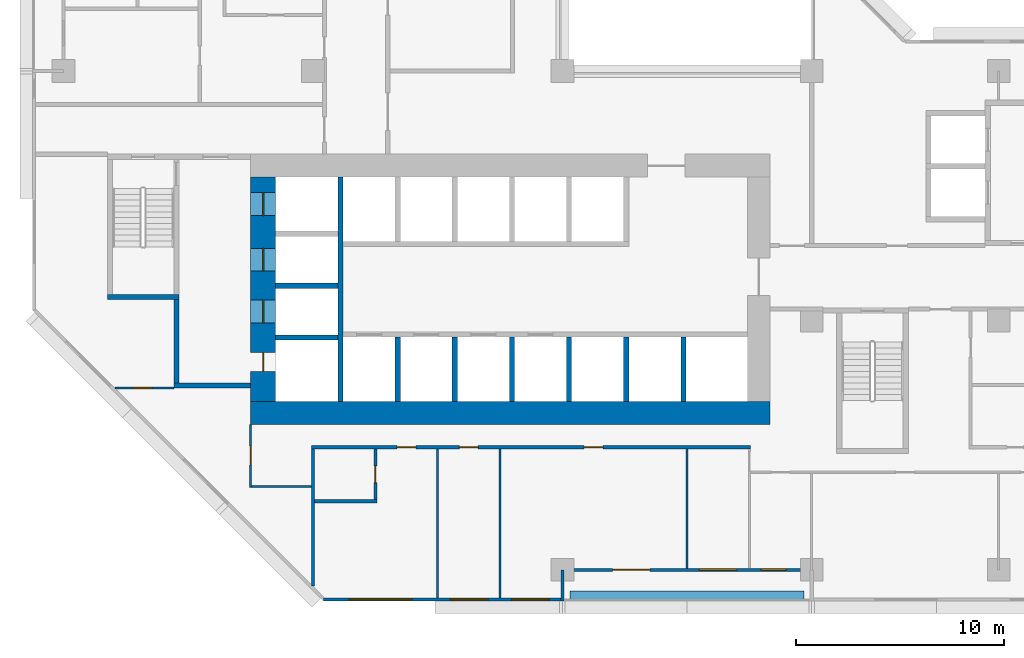
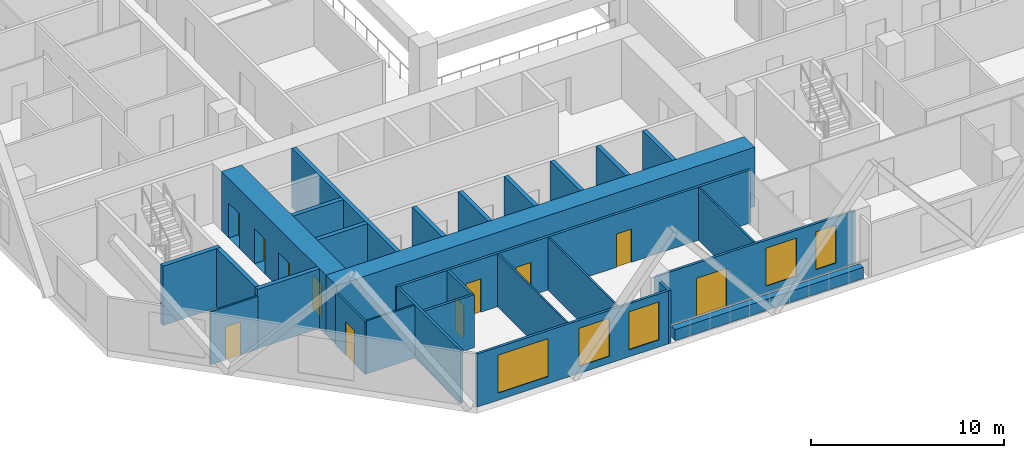
# One storey, part 4 of 15: 28 walls, 11 doors, 5 windows, 16 openings.
"""IFC4 building model written with IfcOpenShell, lengths in metres."""

from ifc_helpers import new_model, si_unit, direction, frame, frame_2d, origin, place, context, subcontext, project, spatial, rectangle, extrude, material, layer, layer_set, type_object, element, fill, save


model = new_model("IFC4")

# Units and contexts
model_context = context("Model", 3, precision=1e-05, world=origin(), true_north=direction((0.0, 1.0)))
body_context = subcontext(model_context, "Body", "Model", "MODEL_VIEW")
ifc_project = project(units=[si_unit("LENGTHUNIT", "METRE"), si_unit("AREAUNIT", "SQUARE_METRE"), si_unit("VOLUMEUNIT", "CUBIC_METRE"), si_unit("PLANEANGLEUNIT", "RADIAN"), si_unit("MASSUNIT", "GRAM", prefix="KILO")], contexts=[model_context])

# Site, building, storey
site_placement = place(None, origin())
site = spatial("IfcSite", under=ifc_project, at=site_placement, CompositionType="ELEMENT")
building_placement = place(site_placement, origin())
building = spatial("IfcBuilding", under=site, at=building_placement, Name="Chenar Terraces", CompositionType="ELEMENT")
storey_placement = place(building_placement, frame((0.0, 0.0, 48.89990234375)))
storey = spatial("IfcBuildingStorey", under=building, at=storey_placement, Name="L09", CompositionType="ELEMENT", Elevation=48.89990234375)

# Wall
ifc_material_1 = material(Name="Concrete C70/85", Category="concrete")
ifc_layer_1 = layer(ifc_material_1, 1.10009765625)
ifc_layer_set_1 = layer_set([ifc_layer_1], Name="Concrete C70/85")
wall_type_1 = type_object("IfcWallType", Name="Core wall 1100 Concrete C70/85", PredefinedType="SHEAR", material=ifc_layer_set_1)
wall_1_placement = place(storey_placement, frame((9.0, 7.550048828125, 0.0), z_axis=(0.0, 0.0, 1.0), x_axis=(1.0, 0.0, 0.0)))
element("IfcWall", 1, at=wall_1_placement, inside=storey, type_object=wall_type_1, Name="Core wall S L09", PredefinedType="SHEAR", context=body_context, shape_type="SweptSolid", body=[
    extrude(rectangle(XDim=25.0, YDim=1.10009765625, at=frame_2d((12.5, 0.0))), origin(), (0.0, 0.0, 1.0), 3.75),
])

# Wall, openings, doors
ifc_material_2 = material(Name="Concrete C70/85", Category="concrete")
ifc_layer_2 = layer(ifc_material_2, 1.199951171875)
ifc_layer_set_2 = layer_set([ifc_layer_2], Name="Concrete C70/85")
wall_type_2 = type_object("IfcWallType", Name="Core wall 1200 Concrete C70/85", PredefinedType="SHEAR", material=ifc_layer_set_2)
wall_2_placement = place(storey_placement, frame((9.60009765625, 8.10009765625, 0.0), z_axis=(0.0, 0.0, 1.0), x_axis=(0.0, 1.0, 0.0)))
wall_2 = element("IfcWall", 2, at=wall_2_placement, inside=storey, type_object=wall_type_2, Name="Core wall W L09", PredefinedType="SHEAR", context=body_context, shape_type="SweptSolid", body=[
    extrude(rectangle(XDim=10.7998046875, YDim=1.199951171875, at=frame_2d((5.39990234375, 0.0))), origin(), (0.0, 0.0, 1.0), 3.75),
])
opening_1_placement = place(wall_2_placement, frame((3.77490234375, 0.0, 0.0)))
opening_1 = element("IfcOpeningElement", 3, at=opening_1_placement, cuts=wall_2, Name="Opening DL09-LD5", PredefinedType="OPENING", context=body_context, shape_type="SweptSolid", body=[
    extrude(rectangle(XDim=1.10009765625, YDim=2.199951171875, at=frame_2d((0.550048828125, 1.10009765625))), frame((0.0, 0.60986328125, 0.0), z_axis=(0.0, -1.0, 0.0), x_axis=(1.0, 0.0, 0.0)), (0.0, 0.0, 1.0), 1.219970703125),
])
opening_2_placement = place(wall_2_placement, frame((6.27490234375, 0.0, 0.0)))
opening_2 = element("IfcOpeningElement", 4, at=opening_2_placement, cuts=wall_2, Name="Opening DL09-LD6", PredefinedType="OPENING", context=body_context, shape_type="SweptSolid", body=[
    extrude(rectangle(XDim=1.10009765625, YDim=2.199951171875, at=frame_2d((0.550048828125, 1.10009765625))), frame((0.0, 0.60986328125, 0.0), z_axis=(0.0, -1.0, 0.0), x_axis=(1.0, 0.0, 0.0)), (0.0, 0.0, 1.0), 1.219970703125),
])
opening_3_placement = place(wall_2_placement, frame((8.949951171875, 0.0, 0.0)))
opening_3 = element("IfcOpeningElement", 5, at=opening_3_placement, cuts=wall_2, Name="Opening DL09-LD7", PredefinedType="OPENING", context=body_context, shape_type="SweptSolid", body=[
    extrude(rectangle(XDim=1.10009765625, YDim=2.199951171875, at=frame_2d((0.550048828125, 1.10009765625))), frame((0.0, 0.60986328125, 0.0), z_axis=(0.0, -1.0, 0.0), x_axis=(1.0, 0.0, 0.0)), (0.0, 0.0, 1.0), 1.219970703125),
])
opening_4_placement = place(wall_2_placement, frame((1.449951171875, 0.0, 0.0)))
opening_4 = element("IfcOpeningElement", 6, at=opening_4_placement, cuts=wall_2, Name="Opening DL09-C4", PredefinedType="OPENING", context=body_context, shape_type="SweptSolid", body=[
    extrude(rectangle(XDim=0.89990234375, YDim=2.10009765625, at=frame_2d((0.449951171875, 1.050048828125))), frame((0.0, 0.60986328125, 0.0), z_axis=(0.0, -1.0, 0.0), x_axis=(1.0, 0.0, 0.0)), (0.0, 0.0, 1.0), 1.219970703125),
])
ifc_material_3 = material(Name="Stainless steel", Category="steel")
door_type_1 = type_object("IfcDoorType", Name="Lift landing door 1100 x 2200 sliding", OperationType="DOUBLE_DOOR_SLIDING", PredefinedType="DOOR", material=ifc_material_3)
door_1_placement = place(opening_1_placement, origin())
door_1 = element("IfcDoor", 7, at=door_1_placement, inside=storey, type_object=door_type_1, Name="Landing door S1", OperationType="DOUBLE_DOOR_SLIDING", OverallHeight=2.199951171875, OverallWidth=1.10009765625, PredefinedType="DOOR", context=body_context, shape_type="SweptSolid", body=[
    extrude(rectangle(XDim=1.10009765625, YDim=2.199951171875, at=frame_2d((0.550048828125, 1.10009765625))), frame((0.0, 0.02490234375, 0.0), z_axis=(0.0, -1.0, 0.0), x_axis=(1.0, 0.0, 0.0)), (0.0, 0.0, 1.0), 0.050048828125),
])
fill(opening_1, door_1)
door_2_placement = place(opening_2_placement, origin())
door_2 = element("IfcDoor", 8, at=door_2_placement, inside=storey, type_object=door_type_1, Name="Landing door F1", OperationType="DOUBLE_DOOR_SLIDING", OverallHeight=2.199951171875, OverallWidth=1.10009765625, PredefinedType="DOOR", context=body_context, shape_type="SweptSolid", body=[
    extrude(rectangle(XDim=1.10009765625, YDim=2.199951171875, at=frame_2d((0.550048828125, 1.10009765625))), frame((0.0, 0.02490234375, 0.0), z_axis=(0.0, -1.0, 0.0), x_axis=(1.0, 0.0, 0.0)), (0.0, 0.0, 1.0), 0.050048828125),
])
fill(opening_2, door_2)
door_3_placement = place(opening_3_placement, origin())
door_3 = element("IfcDoor", 9, at=door_3_placement, inside=storey, type_object=door_type_1, Name="Landing door F2", OperationType="DOUBLE_DOOR_SLIDING", OverallHeight=2.199951171875, OverallWidth=1.10009765625, PredefinedType="DOOR", context=body_context, shape_type="SweptSolid", body=[
    extrude(rectangle(XDim=1.10009765625, YDim=2.199951171875, at=frame_2d((0.550048828125, 1.10009765625))), frame((0.0, 0.02490234375, 0.0), z_axis=(0.0, -1.0, 0.0), x_axis=(1.0, 0.0, 0.0)), (0.0, 0.0, 1.0), 0.050048828125),
])
fill(opening_3, door_3)
ifc_material_4 = material(Name="Steel-framed fire-resisting door leaf", Category="steel")
door_type_2 = type_object("IfcDoorType", Name="Riser fire door FD60 900 x 2100", OperationType="SINGLE_SWING_LEFT", PredefinedType="DOOR", material=ifc_material_4)
door_4_placement = place(opening_4_placement, frame((0.89990234375, 0.0, 0.0), z_axis=(0.0, 0.0, 1.0), x_axis=(-1.0, 0.0, 0.0)))
door_4 = element("IfcDoor", 10, at=door_4_placement, inside=storey, type_object=door_type_2, Name="Riser door DL09-C4", OperationType="SINGLE_SWING_RIGHT", OverallHeight=2.10009765625, OverallWidth=0.89990234375, PredefinedType="DOOR", context=body_context, shape_type="SweptSolid", body=[
    extrude(rectangle(XDim=0.89990234375, YDim=2.10009765625, at=frame_2d((0.449951171875, 1.050048828125))), frame((0.0, 0.02490234375, 0.0), z_axis=(0.0, -1.0, 0.0), x_axis=(1.0, 0.0, 0.0)), (0.0, 0.0, 1.0), 0.050048828125),
])
fill(opening_4, door_4)

# Walls
ifc_material_5 = material(Name="Concrete C70/85", Category="concrete")
ifc_layer_3 = layer(ifc_material_5, 0.25)
ifc_layer_set_3 = layer_set([ifc_layer_3], Name="Concrete C70/85")
wall_type_3 = type_object("IfcWallType", Name="Core wall 250 Concrete C70/85", PredefinedType="SHEAR", material=ifc_layer_set_3)
wall_3_placement = place(storey_placement, frame((13.324951171875, 8.10009765625, 0.0), z_axis=(0.0, 0.0, 1.0), x_axis=(0.0, 1.0, 0.0)))
element("IfcWall", 11, at=wall_3_placement, inside=storey, type_object=wall_type_3, Name="Core wall WI L09", PredefinedType="SHEAR", context=body_context, shape_type="SweptSolid", body=[
    extrude(rectangle(XDim=10.7998046875, YDim=0.25, at=frame_2d((5.39990234375, 0.0))), origin(), (0.0, 0.0, 1.0), 3.75),
])
for number, where, z_axis, x_axis, name in (
    (12, (10.199951171875, 11.175048828125, 0.0), (0.0, 0.0, 1.0), (1.0, 0.0, 0.0), "Core wall HW0 L09"),
    (13, (10.199951171875, 13.675048828125, 0.0), (0.0, 0.0, 1.0), (1.0, 0.0, 0.0), "Core wall HW1 L09"),
):
    element("IfcWall", number, at=place(storey_placement, frame(where, z_axis=z_axis, x_axis=x_axis)), inside=storey, type_object=wall_type_3, Name=name, PredefinedType="SHEAR", context=body_context, shape_type="SweptSolid", body=[
        extrude(rectangle(XDim=3.0, YDim=0.25, at=frame_2d((1.5, 0.0))), origin(), (0.0, 0.0, 1.0), 3.75),
    ])
for number, where, z_axis, x_axis, name in (
    (14, (16.074951171875, 8.10009765625, 0.0), (0.0, 0.0, 1.0), (0.0, 1.0, 0.0), "Core wall SS0 L09"),
    (15, (18.824951171875, 8.10009765625, 0.0), (0.0, 0.0, 1.0), (0.0, 1.0, 0.0), "Core wall SS1 L09"),
    (16, (21.574951171875, 8.10009765625, 0.0), (0.0, 0.0, 1.0), (0.0, 1.0, 0.0), "Core wall SS2 L09"),
    (17, (24.324951171875, 8.10009765625, 0.0), (0.0, 0.0, 1.0), (0.0, 1.0, 0.0), "Core wall SS3 L09"),
    (18, (27.074951171875, 8.10009765625, 0.0), (0.0, 0.0, 1.0), (0.0, 1.0, 0.0), "Core wall SS4 L09"),
    (19, (29.824951171875, 8.10009765625, 0.0), (0.0, 0.0, 1.0), (0.0, 1.0, 0.0), "Core wall SS5 L09"),
):
    element("IfcWall", number, at=place(storey_placement, frame(where, z_axis=z_axis, x_axis=x_axis)), inside=storey, type_object=wall_type_3, Name=name, PredefinedType="SHEAR", context=body_context, shape_type="SweptSolid", body=[
        extrude(rectangle(XDim=3.099853515625, YDim=0.25, at=frame_2d((1.5498046875, 0.0))), origin(), (0.0, 0.0, 1.0), 3.75),
    ])
wall_4_placement = place(storey_placement, frame((2.10009765625, 13.125, 0.0), z_axis=(0.0, 0.0, 1.0), x_axis=(1.0, 0.0, 0.0)))
element("IfcWall", 20, at=wall_4_placement, inside=storey, type_object=wall_type_3, Name="Core wall ST1_S L09", PredefinedType="SHEAR", context=body_context, shape_type="SweptSolid", body=[
    extrude(rectangle(XDim=3.449951171875, YDim=0.25, at=frame_2d((1.72509765625, 0.0))), origin(), (0.0, 0.0, 1.0), 3.75),
])
wall_5_placement = place(storey_placement, frame((5.300048828125, 8.875, 0.0), z_axis=(0.0, 0.0, 1.0), x_axis=(1.0, 0.0, 0.0)))
element("IfcWall", 21, at=wall_5_placement, inside=storey, type_object=wall_type_3, Name="Core wall FFL_S L09", PredefinedType="SHEAR", context=body_context, shape_type="SweptSolid", body=[
    extrude(rectangle(XDim=3.699951171875, YDim=0.25, at=frame_2d((1.85009765625, 0.0))), origin(), (0.0, 0.0, 1.0), 3.75),
])
wall_6_placement = place(storey_placement, frame((5.425048828125, 9.0, 0.0), z_axis=(0.0, 0.0, 1.0), x_axis=(0.0, 1.0, 0.0)))
element("IfcWall", 22, at=wall_6_placement, inside=storey, type_object=wall_type_3, Name="Core wall FFL_W L09", PredefinedType="SHEAR", context=body_context, shape_type="SweptSolid", body=[
    extrude(rectangle(XDim=4.0, YDim=0.25, at=frame_2d((2.0, 0.0))), origin(), (0.0, 0.0, 1.0), 3.75),
])

# Wall, openings, windows
ifc_material_6 = material(Name="Aluminium framed glazing", Category="aluminium")
ifc_layer_4 = layer(ifc_material_6, 0.14990234375)
ifc_layer_set_4 = layer_set([ifc_layer_4], Name="Aluminium framed glazing")
wall_type_4 = type_object("IfcWallType", Name="Glazed flush facade wall 150", PredefinedType="SOLIDWALL", material=ifc_layer_set_4)
wall_7_placement = place(storey_placement, frame((12.5, -1.425048828125, 0.0), z_axis=(0.0, 0.0, 1.0), x_axis=(1.0, 0.0, 0.0)))
wall_7 = element("IfcWall", 23, at=wall_7_placement, inside=storey, type_object=wall_type_4, Name="Glazed flush facade wall", PredefinedType="SOLIDWALL", context=body_context, shape_type="SweptSolid", body=[
    extrude(rectangle(XDim=11.425048828125, YDim=0.14990234375, at=frame_2d((5.71240234375, 0.0))), origin(), (0.0, 0.0, 1.0), 3.35009765625),
])
opening_5_placement = place(wall_7_placement, frame((1.25, 0.0, 0.449951171875)))
opening_5 = element("IfcOpeningElement", 24, at=opening_5_placement, cuts=wall_7, Name="Opening W300x240", PredefinedType="OPENING", context=body_context, shape_type="SweptSolid", body=[
    extrude(rectangle(XDim=3.0, YDim=2.39990234375, at=frame_2d((1.5, 1.199951171875))), frame((0.0, 0.0849609375, 0.0), z_axis=(0.0, -1.0, 0.0), x_axis=(1.0, 0.0, 0.0)), (0.0, 0.0, 1.0), 0.169921875),
])
opening_6_placement = place(wall_7_placement, frame((6.10009765625, 0.0, 0.449951171875)))
opening_6 = element("IfcOpeningElement", 25, at=opening_6_placement, cuts=wall_7, Name="Opening W180x240", PredefinedType="OPENING", context=body_context, shape_type="SweptSolid", body=[
    extrude(rectangle(XDim=1.800048828125, YDim=2.39990234375, at=frame_2d((0.89990234375, 1.199951171875))), frame((0.0, 0.0849609375, 0.0), z_axis=(0.0, -1.0, 0.0), x_axis=(1.0, 0.0, 0.0)), (0.0, 0.0, 1.0), 0.169921875),
])
opening_7_placement = place(wall_7_placement, frame((9.0625, 0.0, 0.449951171875)))
opening_7 = element("IfcOpeningElement", 26, at=opening_7_placement, cuts=wall_7, Name="Opening W180x240", PredefinedType="OPENING", context=body_context, shape_type="SweptSolid", body=[
    extrude(rectangle(XDim=1.800048828125, YDim=2.39990234375, at=frame_2d((0.89990234375, 1.199951171875))), frame((0.0, 0.0849609375, 0.0), z_axis=(0.0, -1.0, 0.0), x_axis=(1.0, 0.0, 0.0)), (0.0, 0.0, 1.0), 0.169921875),
])
ifc_material_7 = material(Name="Low emissivity double glazing, aluminium frame", Category="aluminium")
window_type_1 = type_object("IfcWindowType", Name="Fixed light 1800 x 2400", PartitioningType="SINGLE_PANEL", PredefinedType="WINDOW", material=ifc_material_7)
window_1_placement = place(opening_6_placement, origin())
window_1 = element("IfcWindow", 27, at=window_1_placement, inside=storey, type_object=window_type_1, Name="Window", OverallHeight=2.39990234375, OverallWidth=1.800048828125, PartitioningType="SINGLE_PANEL", PredefinedType="WINDOW", context=body_context, shape_type="SweptSolid", body=[
    extrude(rectangle(XDim=1.800048828125, YDim=2.39990234375, at=frame_2d((0.89990234375, 1.199951171875))), frame((0.0, 0.030029296875, 0.0), z_axis=(0.0, -1.0, 0.0), x_axis=(1.0, 0.0, 0.0)), (0.0, 0.0, 1.0), 0.06005859375),
])
fill(opening_6, window_1)
window_2_placement = place(opening_7_placement, origin())
window_2 = element("IfcWindow", 28, at=window_2_placement, inside=storey, type_object=window_type_1, Name="Window", OverallHeight=2.39990234375, OverallWidth=1.800048828125, PartitioningType="SINGLE_PANEL", PredefinedType="WINDOW", context=body_context, shape_type="SweptSolid", body=[
    extrude(rectangle(XDim=1.800048828125, YDim=2.39990234375, at=frame_2d((0.89990234375, 1.199951171875))), frame((0.0, 0.030029296875, 0.0), z_axis=(0.0, -1.0, 0.0), x_axis=(1.0, 0.0, 0.0)), (0.0, 0.0, 1.0), 0.06005859375),
])
fill(opening_7, window_2)
ifc_material_8 = material(Name="Low emissivity double glazing, aluminium frame", Category="aluminium")
window_type_2 = type_object("IfcWindowType", Name="Fixed light 3000 x 2400", PartitioningType="SINGLE_PANEL", PredefinedType="WINDOW", material=ifc_material_8)
window_3_placement = place(opening_5_placement, origin())
window_3 = element("IfcWindow", 29, at=window_3_placement, inside=storey, type_object=window_type_2, Name="Window", OverallHeight=2.39990234375, OverallWidth=3.0, PartitioningType="SINGLE_PANEL", PredefinedType="WINDOW", context=body_context, shape_type="SweptSolid", body=[
    extrude(rectangle(XDim=3.0, YDim=2.39990234375, at=frame_2d((1.5, 1.199951171875))), frame((0.0, 0.030029296875, 0.0), z_axis=(0.0, -1.0, 0.0), x_axis=(1.0, 0.0, 0.0)), (0.0, 0.0, 1.0), 0.06005859375),
])
fill(opening_5, window_3)

# Wall, openings, windows, door
ifc_material_9 = material(Name="Aluminium framed glazing", Category="aluminium")
ifc_layer_5 = layer(ifc_material_9, 0.14990234375)
ifc_layer_set_5 = layer_set([ifc_layer_5], Name="Aluminium framed glazing")
wall_type_5 = type_object("IfcWallType", Name="Glazed loggia back wall 150", PredefinedType="SOLIDWALL", material=ifc_layer_set_5)
wall_8_placement = place(storey_placement, frame((24.074951171875, 0.0, 0.0), z_axis=(0.0, 0.0, 1.0), x_axis=(1.0, 0.0, 0.0)))
wall_8 = element("IfcWall", 30, at=wall_8_placement, inside=storey, type_object=wall_type_5, Name="Glazed loggia back wall", PredefinedType="SOLIDWALL", context=body_context, shape_type="SweptSolid", body=[
    extrude(rectangle(XDim=11.85009765625, YDim=0.14990234375, at=frame_2d((5.925048828125, 0.0))), origin(), (0.0, 0.0, 1.0), 3.35009765625),
])
opening_8_placement = place(wall_8_placement, frame((2.35009765625, 0.0, 0.0)))
opening_8 = element("IfcOpeningElement", 31, at=opening_8_placement, cuts=wall_8, Name="Opening DL09-G5", PredefinedType="OPENING", context=body_context, shape_type="SweptSolid", body=[
    extrude(rectangle(XDim=1.800048828125, YDim=2.39990234375, at=frame_2d((0.89990234375, 1.199951171875))), frame((0.0, 0.0849609375, 0.0), z_axis=(0.0, -1.0, 0.0), x_axis=(1.0, 0.0, 0.0)), (0.0, 0.0, 1.0), 0.169921875),
])
opening_9_placement = place(wall_8_placement, frame((6.52490234375, 0.0, 0.449951171875)))
opening_9 = element("IfcOpeningElement", 32, at=opening_9_placement, cuts=wall_8, Name="Opening W180x240", PredefinedType="OPENING", context=body_context, shape_type="SweptSolid", body=[
    extrude(rectangle(XDim=1.800048828125, YDim=2.39990234375, at=frame_2d((0.89990234375, 1.199951171875))), frame((0.0, 0.0849609375, 0.0), z_axis=(0.0, -1.0, 0.0), x_axis=(1.0, 0.0, 0.0)), (0.0, 0.0, 1.0), 0.169921875),
])
opening_10_placement = place(wall_8_placement, frame((9.5, 0.0, 0.449951171875)))
opening_10 = element("IfcOpeningElement", 33, at=opening_10_placement, cuts=wall_8, Name="Opening W120x240", PredefinedType="OPENING", context=body_context, shape_type="SweptSolid", body=[
    extrude(rectangle(XDim=1.199951171875, YDim=2.39990234375, at=frame_2d((0.60009765625, 1.199951171875))), frame((0.0, 0.0849609375, 0.0), z_axis=(0.0, -1.0, 0.0), x_axis=(1.0, 0.0, 0.0)), (0.0, 0.0, 1.0), 0.169921875),
])
ifc_material_10 = material(Name="Low emissivity double glazing, aluminium frame", Category="aluminium")
window_type_3 = type_object("IfcWindowType", Name="Fixed light 1200 x 2400", PartitioningType="SINGLE_PANEL", PredefinedType="WINDOW", material=ifc_material_10)
window_4_placement = place(opening_10_placement, origin())
window_4 = element("IfcWindow", 34, at=window_4_placement, inside=storey, type_object=window_type_3, Name="Window", OverallHeight=2.39990234375, OverallWidth=1.199951171875, PartitioningType="SINGLE_PANEL", PredefinedType="WINDOW", context=body_context, shape_type="SweptSolid", body=[
    extrude(rectangle(XDim=1.199951171875, YDim=2.39990234375, at=frame_2d((0.60009765625, 1.199951171875))), frame((0.0, 0.030029296875, 0.0), z_axis=(0.0, -1.0, 0.0), x_axis=(1.0, 0.0, 0.0)), (0.0, 0.0, 1.0), 0.06005859375),
])
fill(opening_10, window_4)
window_5_placement = place(opening_9_placement, origin())
window_5 = element("IfcWindow", 35, at=window_5_placement, inside=storey, type_object=window_type_1, Name="Window", OverallHeight=2.39990234375, OverallWidth=1.800048828125, PartitioningType="SINGLE_PANEL", PredefinedType="WINDOW", context=body_context, shape_type="SweptSolid", body=[
    extrude(rectangle(XDim=1.800048828125, YDim=2.39990234375, at=frame_2d((0.89990234375, 1.199951171875))), frame((0.0, 0.030029296875, 0.0), z_axis=(0.0, -1.0, 0.0), x_axis=(1.0, 0.0, 0.0)), (0.0, 0.0, 1.0), 0.06005859375),
])
fill(opening_9, window_5)
ifc_material_11 = material(Name="Low emissivity double glazing, aluminium frame", Category="aluminium")
door_type_3 = type_object("IfcDoorType", Name="Loggia glazed double door 1800 x 2400", OperationType="DOUBLE_DOOR_SINGLE_SWING", PredefinedType="DOOR", material=ifc_material_11)
door_5_placement = place(opening_8_placement, frame((1.800048828125, 0.0, 0.0), z_axis=(0.0, 0.0, 1.0), x_axis=(-1.0, 0.0, 0.0)))
door_5 = element("IfcDoor", 36, at=door_5_placement, inside=storey, type_object=door_type_3, Name="Loggia glazed door", OperationType="DOUBLE_DOOR_SINGLE_SWING", OverallHeight=2.39990234375, OverallWidth=1.800048828125, PredefinedType="DOOR", context=body_context, shape_type="SweptSolid", body=[
    extrude(rectangle(XDim=1.800048828125, YDim=2.39990234375, at=frame_2d((0.89990234375, 1.199951171875))), frame((0.0, 0.02490234375, 0.0), z_axis=(0.0, -1.0, 0.0), x_axis=(1.0, 0.0, 0.0)), (0.0, 0.0, 1.0), 0.050048828125),
])
fill(opening_8, door_5)

# Wall, opening, door
ifc_material_12 = material(Name="Gypsum board on steel studs", Category="steel")
ifc_layer_6 = layer(ifc_material_12, 0.10009765625)
ifc_layer_set_6 = layer_set([ifc_layer_6], Name="Gypsum board on steel studs")
wall_type_6 = type_object("IfcWallType", Name="Gypsum partition 100", PredefinedType="PARTITIONING", material=ifc_layer_set_6)
wall_9_placement = place(storey_placement, frame((2.4609375, 8.75, 0.0), z_axis=(0.0, 0.0, 1.0), x_axis=(1.0, 0.0, 0.0)))
wall_9 = element("IfcWall", 37, at=wall_9_placement, inside=storey, type_object=wall_type_6, Name="Partition L09-011", PredefinedType="PARTITIONING", context=body_context, shape_type="SweptSolid", body=[
    extrude(rectangle(XDim=2.839111328125, YDim=0.10009765625, at=frame_2d((1.41943359375, 0.0))), origin(), (0.0, 0.0, 1.0), 3.35009765625),
])
opening_11_placement = place(wall_9_placement, frame((0.888916015625, 0.0, 0.0)))
opening_11 = element("IfcOpeningElement", 38, at=opening_11_placement, cuts=wall_9, Name="Opening DL09-59", PredefinedType="OPENING", context=body_context, shape_type="SweptSolid", body=[
    extrude(rectangle(XDim=0.89990234375, YDim=2.10009765625, at=frame_2d((0.449951171875, 1.050048828125))), frame((0.0, 0.06005859375, 0.0), z_axis=(0.0, -1.0, 0.0), x_axis=(1.0, 0.0, 0.0)), (0.0, 0.0, 1.0), 0.1201171875),
])
ifc_material_13 = material(Name="Veneered timber door leaf", Category="wood")
door_type_4 = type_object("IfcDoorType", Name="Door 900 x 2100", OperationType="SINGLE_SWING_LEFT", PredefinedType="DOOR", material=ifc_material_13)
door_6_placement = place(opening_11_placement, frame((0.89990234375, 0.0, 0.0), z_axis=(0.0, 0.0, 1.0), x_axis=(-1.0, 0.0, 0.0)))
door_6 = element("IfcDoor", 39, at=door_6_placement, inside=storey, type_object=door_type_4, Name="Door DL09-59", OperationType="SINGLE_SWING_RIGHT", OverallHeight=2.10009765625, OverallWidth=0.89990234375, PredefinedType="DOOR", context=body_context, shape_type="SweptSolid", body=[
    extrude(rectangle(XDim=0.89990234375, YDim=2.10009765625, at=frame_2d((0.449951171875, 1.050048828125))), frame((0.0, 0.02490234375, 0.0), z_axis=(0.0, -1.0, 0.0), x_axis=(1.0, 0.0, 0.0)), (0.0, 0.0, 1.0), 0.050048828125),
])
fill(opening_11, door_6)

wall_10_placement = place(storey_placement, frame((9.0, 3.949951171875, 0.0), z_axis=(0.0, 0.0, 1.0), x_axis=(0.0, 1.0, 0.0)))
wall_10 = element("IfcWall", 40, at=wall_10_placement, inside=storey, type_object=wall_type_6, Name="Partition L09-036", PredefinedType="PARTITIONING", context=body_context, shape_type="SweptSolid", body=[
    extrude(rectangle(XDim=3.050048828125, YDim=0.10009765625, at=frame_2d((1.52490234375, 0.0))), origin(), (0.0, 0.0, 1.0), 3.35009765625),
])
opening_12_placement = place(wall_10_placement, frame((1.10009765625, 0.0, 0.0)))
opening_12 = element("IfcOpeningElement", 41, at=opening_12_placement, cuts=wall_10, Name="Opening DL09-58", PredefinedType="OPENING", context=body_context, shape_type="SweptSolid", body=[
    extrude(rectangle(XDim=0.89990234375, YDim=2.10009765625, at=frame_2d((0.449951171875, 1.050048828125))), frame((0.0, 0.06005859375, 0.0), z_axis=(0.0, -1.0, 0.0), x_axis=(1.0, 0.0, 0.0)), (0.0, 0.0, 1.0), 0.1201171875),
])
door_7_placement = place(opening_12_placement, origin())
door_7 = element("IfcDoor", 42, at=door_7_placement, inside=storey, type_object=door_type_4, Name="Door DL09-58", OperationType="SINGLE_SWING_LEFT", OverallHeight=2.10009765625, OverallWidth=0.89990234375, PredefinedType="DOOR", context=body_context, shape_type="SweptSolid", body=[
    extrude(rectangle(XDim=0.89990234375, YDim=2.10009765625, at=frame_2d((0.449951171875, 1.050048828125))), frame((0.0, 0.02490234375, 0.0), z_axis=(0.0, -1.0, 0.0), x_axis=(1.0, 0.0, 0.0)), (0.0, 0.0, 1.0), 0.050048828125),
])
fill(opening_12, door_7)

# Walls
wall_11_placement = place(storey_placement, frame((9.050048828125, 4.0, 0.0), z_axis=(0.0, 0.0, 1.0), x_axis=(1.0, 0.0, 0.0)))
element("IfcWall", 43, at=wall_11_placement, inside=storey, type_object=wall_type_6, Name="Partition L09-037", PredefinedType="PARTITIONING", context=body_context, shape_type="SweptSolid", body=[
    extrude(rectangle(XDim=2.875, YDim=0.10009765625, at=frame_2d((1.4375, 0.0))), origin(), (0.0, 0.0, 1.0), 3.35009765625),
])
wall_12_placement = place(storey_placement, frame((18.0, -1.35107421875, 0.0), z_axis=(0.0, 0.0, 1.0), x_axis=(0.0, 1.0, 0.0)))
element("IfcWall", 44, at=wall_12_placement, inside=storey, type_object=wall_type_6, Name="Partition L09-055", PredefinedType="PARTITIONING", context=body_context, shape_type="SweptSolid", body=[
    extrude(rectangle(XDim=7.176025390625, YDim=0.10009765625, at=frame_2d((3.587890625, 0.0))), origin(), (0.0, 0.0, 1.0), 3.35009765625),
])
wall_13_placement = place(storey_placement, frame((21.0, -1.35009765625, 0.0), z_axis=(0.0, 0.0, 1.0), x_axis=(0.0, 1.0, 0.0)))
element("IfcWall", 45, at=wall_13_placement, inside=storey, type_object=wall_type_6, Name="Partition L09-063", PredefinedType="PARTITIONING", context=body_context, shape_type="SweptSolid", body=[
    extrude(rectangle(XDim=7.175048828125, YDim=0.10009765625, at=frame_2d((3.58740234375, 0.0))), origin(), (0.0, 0.0, 1.0), 3.35009765625),
])
wall_14_placement = place(storey_placement, frame((30.0, 0.073974609375, 0.0), z_axis=(0.0, 0.0, 1.0), x_axis=(0.0, 1.0, 0.0)))
element("IfcWall", 46, at=wall_14_placement, inside=storey, type_object=wall_type_6, Name="Partition L09-065", PredefinedType="PARTITIONING", context=body_context, shape_type="SweptSolid", body=[
    extrude(rectangle(XDim=5.7509765625, YDim=0.10009765625, at=frame_2d((2.87548828125, 0.0))), origin(), (0.0, 0.0, 1.0), 3.35009765625),
])
ifc_material_14 = material(Name="Terracotta cladding on insulated backing", Category="masonry")
ifc_layer_7 = layer(ifc_material_14, 0.14990234375)
ifc_layer_set_7 = layer_set([ifc_layer_7], Name="Terracotta cladding on insulated backing")
wall_type_7 = type_object("IfcWallType", Name="Loggia return wall 150", PredefinedType="SOLIDWALL", material=ifc_layer_set_7)
wall_15_placement = place(storey_placement, frame((24.0, -1.5, 0.0), z_axis=(0.0, 0.0, 1.0), x_axis=(0.0, 1.0, 0.0)))
element("IfcWall", 47, at=wall_15_placement, inside=storey, type_object=wall_type_7, Name="Loggia return wall", PredefinedType="SOLIDWALL", context=body_context, shape_type="SweptSolid", body=[
    extrude(rectangle(XDim=1.5, YDim=0.14990234375, at=frame_2d((0.75, 0.0))), origin(), (0.0, 0.0, 1.0), 3.35009765625),
])
ifc_material_15 = material(Name="GRP planter trough")
ifc_layer_8 = layer(ifc_material_15, 0.39990234375)
ifc_layer_set_8 = layer_set([ifc_layer_8], Name="GRP planter trough")
wall_type_8 = type_object("IfcWallType", Name="Vertical greenery planter 400", PredefinedType="SOLIDWALL", material=ifc_layer_set_8)
wall_16_placement = place(storey_placement, frame((24.375, -1.22900390625, 0.0), z_axis=(0.0, 0.0, 1.0), x_axis=(1.0, 0.0, 0.0)))
element("IfcWall", 48, at=wall_16_placement, inside=storey, type_object=wall_type_8, Name="Vertical greenery planter", PredefinedType="SOLIDWALL", context=body_context, shape_type="SweptSolid", body=[
    extrude(rectangle(XDim=11.25, YDim=0.39990234375, at=frame_2d((5.625, 0.0))), origin(), (0.0, 0.0, 1.0), 0.7001953125),
])

# Wall, openings, doors
ifc_material_16 = material(Name="Moisture-resistant gypsum board on steel studs", Category="steel")
ifc_layer_9 = layer(ifc_material_16, 0.14990234375)
ifc_layer_set_9 = layer_set([ifc_layer_9], Name="Moisture-resistant gypsum board on steel studs")
wall_type_9 = type_object("IfcWallType", Name="Wet-room partition 150", PredefinedType="PARTITIONING", material=ifc_layer_set_9)
wall_17_placement = place(storey_placement, frame((11.925048828125, 5.89990234375, 0.0), z_axis=(0.0, 0.0, 1.0), x_axis=(1.0, 0.0, 0.0)))
wall_17 = element("IfcWall", 49, at=wall_17_placement, inside=storey, type_object=wall_type_9, Name="Partition L09-038", PredefinedType="PARTITIONING", context=body_context, shape_type="SweptSolid", body=[
    extrude(rectangle(XDim=21.125, YDim=0.14990234375, at=frame_2d((10.5625, 0.0))), origin(), (0.0, 0.0, 1.0), 3.35009765625),
])
opening_13_placement = place(wall_17_placement, frame((7.125, 0.0, 0.0)))
opening_13 = element("IfcOpeningElement", 50, at=opening_13_placement, cuts=wall_17, Name="Opening DL09-52", PredefinedType="OPENING", context=body_context, shape_type="SweptSolid", body=[
    extrude(rectangle(XDim=0.89990234375, YDim=2.10009765625, at=frame_2d((0.449951171875, 1.050048828125))), frame((0.0, 0.0849609375, 0.0), z_axis=(0.0, -1.0, 0.0), x_axis=(1.0, 0.0, 0.0)), (0.0, 0.0, 1.0), 0.169921875),
])
opening_14_placement = place(wall_17_placement, frame((4.125, 0.0, 0.0)))
opening_14 = element("IfcOpeningElement", 51, at=opening_14_placement, cuts=wall_17, Name="Opening DL09-60", PredefinedType="OPENING", context=body_context, shape_type="SweptSolid", body=[
    extrude(rectangle(XDim=0.89990234375, YDim=2.10009765625, at=frame_2d((0.449951171875, 1.050048828125))), frame((0.0, 0.0849609375, 0.0), z_axis=(0.0, -1.0, 0.0), x_axis=(1.0, 0.0, 0.0)), (0.0, 0.0, 1.0), 0.169921875),
])
opening_15_placement = place(wall_17_placement, frame((13.125, 0.0, 0.0)))
opening_15 = element("IfcOpeningElement", 52, at=opening_15_placement, cuts=wall_17, Name="Opening DL09-65", PredefinedType="OPENING", context=body_context, shape_type="SweptSolid", body=[
    extrude(rectangle(XDim=0.89990234375, YDim=2.10009765625, at=frame_2d((0.449951171875, 1.050048828125))), frame((0.0, 0.0849609375, 0.0), z_axis=(0.0, -1.0, 0.0), x_axis=(1.0, 0.0, 0.0)), (0.0, 0.0, 1.0), 0.169921875),
])
door_8_placement = place(opening_13_placement, frame((0.89990234375, 0.0, 0.0), z_axis=(0.0, 0.0, 1.0), x_axis=(-1.0, 0.0, 0.0)))
door_8 = element("IfcDoor", 53, at=door_8_placement, inside=storey, type_object=door_type_4, Name="Door DL09-52", OperationType="SINGLE_SWING_RIGHT", OverallHeight=2.10009765625, OverallWidth=0.89990234375, PredefinedType="DOOR", context=body_context, shape_type="SweptSolid", body=[
    extrude(rectangle(XDim=0.89990234375, YDim=2.10009765625, at=frame_2d((0.449951171875, 1.050048828125))), frame((0.0, 0.02490234375, 0.0), z_axis=(0.0, -1.0, 0.0), x_axis=(1.0, 0.0, 0.0)), (0.0, 0.0, 1.0), 0.050048828125),
])
fill(opening_13, door_8)
door_9_placement = place(opening_14_placement, frame((0.89990234375, 0.0, 0.0), z_axis=(0.0, 0.0, 1.0), x_axis=(-1.0, 0.0, 0.0)))
door_9 = element("IfcDoor", 54, at=door_9_placement, inside=storey, type_object=door_type_4, Name="Door DL09-60", OperationType="SINGLE_SWING_RIGHT", OverallHeight=2.10009765625, OverallWidth=0.89990234375, PredefinedType="DOOR", context=body_context, shape_type="SweptSolid", body=[
    extrude(rectangle(XDim=0.89990234375, YDim=2.10009765625, at=frame_2d((0.449951171875, 1.050048828125))), frame((0.0, 0.02490234375, 0.0), z_axis=(0.0, -1.0, 0.0), x_axis=(1.0, 0.0, 0.0)), (0.0, 0.0, 1.0), 0.050048828125),
])
fill(opening_14, door_9)
door_10_placement = place(opening_15_placement, frame((0.89990234375, 0.0, 0.0), z_axis=(0.0, 0.0, 1.0), x_axis=(-1.0, 0.0, 0.0)))
door_10 = element("IfcDoor", 55, at=door_10_placement, inside=storey, type_object=door_type_4, Name="Door DL09-65", OperationType="SINGLE_SWING_RIGHT", OverallHeight=2.10009765625, OverallWidth=0.89990234375, PredefinedType="DOOR", context=body_context, shape_type="SweptSolid", body=[
    extrude(rectangle(XDim=0.89990234375, YDim=2.10009765625, at=frame_2d((0.449951171875, 1.050048828125))), frame((0.0, 0.02490234375, 0.0), z_axis=(0.0, -1.0, 0.0), x_axis=(1.0, 0.0, 0.0)), (0.0, 0.0, 1.0), 0.050048828125),
])
fill(opening_15, door_10)

# Walls
wall_18_placement = place(storey_placement, frame((12.0, -0.787841796875, 0.0), z_axis=(0.0, 0.0, 1.0), x_axis=(0.0, 1.0, 0.0)))
element("IfcWall", 56, at=wall_18_placement, inside=storey, type_object=wall_type_9, Name="Partition L09-039", PredefinedType="PARTITIONING", context=body_context, shape_type="SweptSolid", body=[
    extrude(rectangle(XDim=6.61279296875, YDim=0.14990234375, at=frame_2d((3.306396484375, 0.0))), origin(), (0.0, 0.0, 1.0), 3.35009765625),
])
wall_19_placement = place(storey_placement, frame((12.074951171875, 3.300048828125, 0.0), z_axis=(0.0, 0.0, 1.0), x_axis=(1.0, 0.0, 0.0)))
element("IfcWall", 57, at=wall_19_placement, inside=storey, type_object=wall_type_9, Name="Partition L09-040", PredefinedType="PARTITIONING", context=body_context, shape_type="SweptSolid", body=[
    extrude(rectangle(XDim=3.0, YDim=0.14990234375, at=frame_2d((1.5, 0.0))), origin(), (0.0, 0.0, 1.0), 3.35009765625),
])

# Wall, opening, door
wall_20_placement = place(storey_placement, frame((15.0, 3.375, 0.0), z_axis=(0.0, 0.0, 1.0), x_axis=(0.0, 1.0, 0.0)))
wall_20 = element("IfcWall", 58, at=wall_20_placement, inside=storey, type_object=wall_type_9, Name="Partition L09-043", PredefinedType="PARTITIONING", context=body_context, shape_type="SweptSolid", body=[
    extrude(rectangle(XDim=2.449951171875, YDim=0.14990234375, at=frame_2d((1.22509765625, 0.0))), origin(), (0.0, 0.0, 1.0), 3.35009765625),
])
opening_16_placement = place(wall_20_placement, frame((0.824951171875, 0.0, 0.0)))
opening_16 = element("IfcOpeningElement", 59, at=opening_16_placement, cuts=wall_20, Name="Opening DL09-61", PredefinedType="OPENING", context=body_context, shape_type="SweptSolid", body=[
    extrude(rectangle(XDim=0.800048828125, YDim=2.10009765625, at=frame_2d((0.39990234375, 1.050048828125))), frame((0.0, 0.0849609375, 0.0), z_axis=(0.0, -1.0, 0.0), x_axis=(1.0, 0.0, 0.0)), (0.0, 0.0, 1.0), 0.169921875),
])
ifc_material_17 = material(Name="Veneered timber door leaf", Category="wood")
door_type_5 = type_object("IfcDoorType", Name="Door 800 x 2100", OperationType="SINGLE_SWING_LEFT", PredefinedType="DOOR", material=ifc_material_17)
door_11_placement = place(opening_16_placement, origin())
door_11 = element("IfcDoor", 60, at=door_11_placement, inside=storey, type_object=door_type_5, Name="Door DL09-61", OperationType="SINGLE_SWING_RIGHT", OverallHeight=2.10009765625, OverallWidth=0.800048828125, PredefinedType="DOOR", context=body_context, shape_type="SweptSolid", body=[
    extrude(rectangle(XDim=0.800048828125, YDim=2.10009765625, at=frame_2d((0.39990234375, 1.050048828125))), frame((0.0, 0.02490234375, 0.0), z_axis=(0.0, -1.0, 0.0), x_axis=(1.0, 0.0, 0.0)), (0.0, 0.0, 1.0), 0.050048828125),
])
fill(opening_16, door_11)

save(model, "model.ifc")
